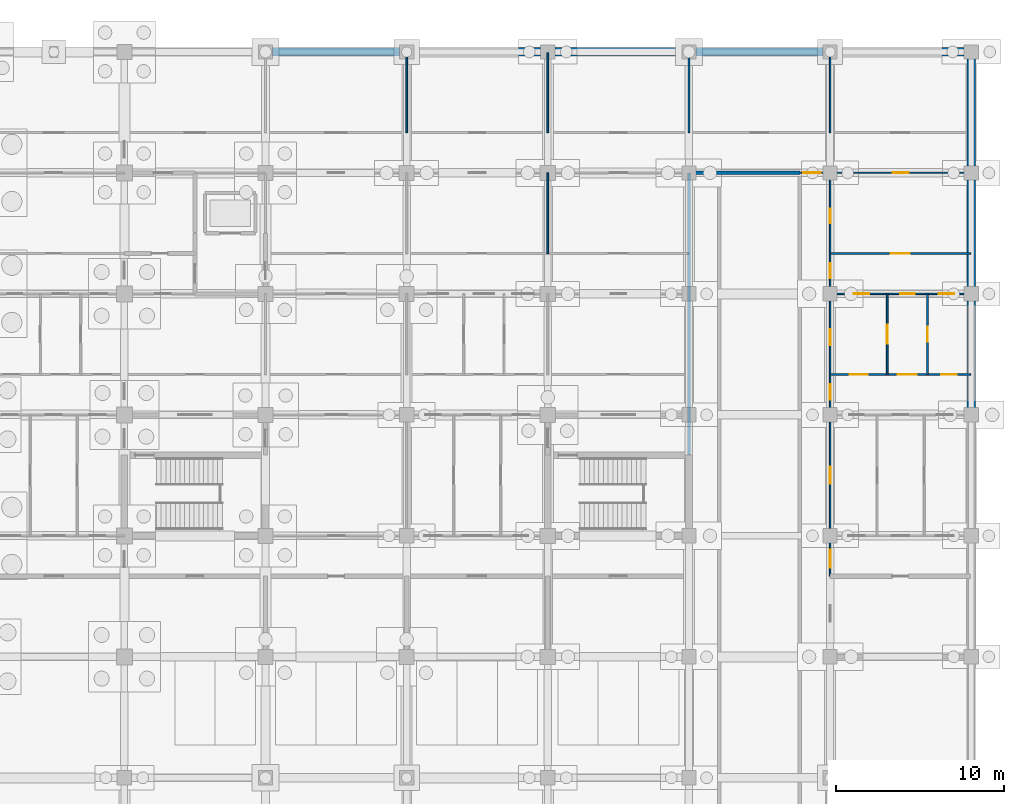
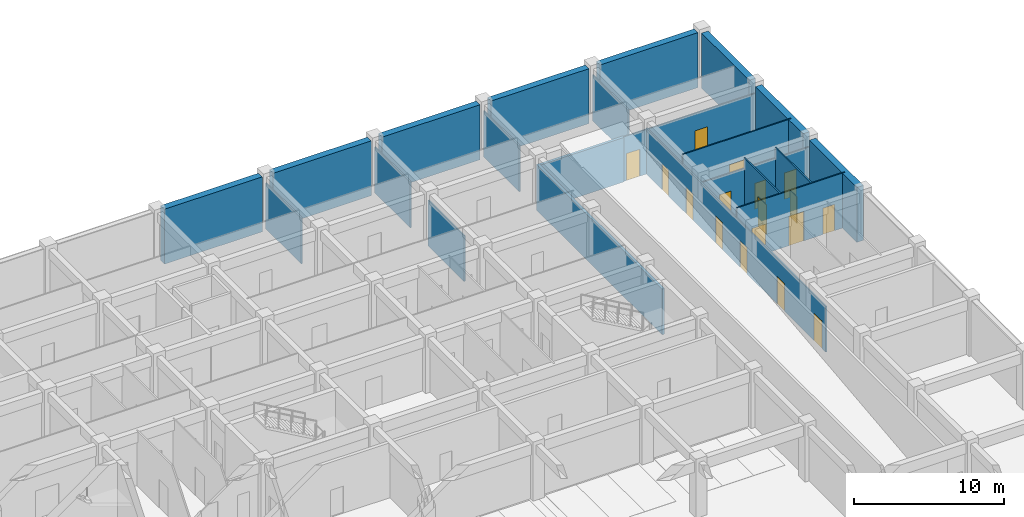
# One storey, part 79 of 85: 22 walls, 17 doors, 17 openings.
"""IFC4 building model written with IfcOpenShell, lengths in metres."""

from ifc_helpers import new_model, si_unit, direction, frame, frame_2d, origin, place, context, subcontext, project, spatial, rectangle, extrude, material, layer, layer_set, type_object, element, fill, save


model = new_model("IFC4")

# Units and contexts
model_context = context("Model", 3, precision=1e-05, world=origin(), true_north=direction((0.0, 1.0)))
body_context = subcontext(model_context, "Body", "Model", "MODEL_VIEW")
ifc_project = project(units=[si_unit("LENGTHUNIT", "METRE"), si_unit("AREAUNIT", "SQUARE_METRE"), si_unit("VOLUMEUNIT", "CUBIC_METRE"), si_unit("PLANEANGLEUNIT", "RADIAN"), si_unit("MASSUNIT", "GRAM", prefix="KILO")], contexts=[model_context])

# Site, building, storey
site_placement = place(None, origin())
site = spatial("IfcSite", under=ifc_project, at=site_placement, CompositionType="ELEMENT")
building_placement = place(site_placement, origin())
building = spatial("IfcBuilding", under=site, at=building_placement, Name="Chengyuan Square Courthouse", CompositionType="ELEMENT")
storey_placement = place(building_placement, frame((0.0, 0.0, -10.199951171875)))
storey = spatial("IfcBuildingStorey", under=building, at=storey_placement, Name="B02", CompositionType="ELEMENT", Elevation=-10.199951171875)

# Wall, openings, doors
ifc_material_1 = material(Name="Gypsum Plasterboard Acoustic Stud Partition")
ifc_layer_1 = layer(ifc_material_1, 0.10009765625)
ifc_layer_set_1 = layer_set([ifc_layer_1], Name="Gypsum Plasterboard Acoustic Stud Partition")
wall_type_1 = type_object("IfcWallType", Name="WL-PT6", PredefinedType="STANDARD", material=ifc_layer_set_1)
wall_1_placement = place(storey_placement, frame((159.60009765625, 96.0, 0.0), z_axis=(0.0, 0.0, 1.0), x_axis=(1.0, 0.0, 0.0)))
wall_1 = element("IfcWall", 1, at=wall_1_placement, inside=storey, type_object=wall_type_1, Name="Interior Wall WL-B02-I063", PredefinedType="STANDARD", context=body_context, shape_type="SweptSolid", body=[
    extrude(rectangle(XDim=8.35986328125, YDim=0.10009765625, at=frame_2d((4.179931640625, 0.0))), origin(), (0.0, 0.0, 1.0), 4.47998046875),
])
opening_1_placement = place(wall_1_placement, frame((1.169921875, 0.0, 0.0)))
opening_1 = element("IfcOpeningElement", 2, at=opening_1_placement, cuts=wall_1, Name="Opening DR-203", PredefinedType="OPENING", context=body_context, shape_type="SweptSolid", body=[
    extrude(rectangle(XDim=1.06005859375, YDim=2.39990234375, at=frame_2d((0.530029296875, 1.199951171875))), frame((0.0, 0.06201171875, 0.0), z_axis=(0.0, -1.0, 0.0), x_axis=(1.0, 0.0, 0.0)), (0.0, 0.0, 1.0), 0.1240234375),
])
opening_2_placement = place(wall_1_placement, frame((4.030029296875, 0.0, 0.0)))
opening_2 = element("IfcOpeningElement", 3, at=opening_2_placement, cuts=wall_1, Name="Opening DR-204", PredefinedType="OPENING", context=body_context, shape_type="SweptSolid", body=[
    extrude(rectangle(XDim=1.139892578125, YDim=2.39990234375, at=frame_2d((0.56982421875, 1.199951171875))), frame((0.0, 0.06201171875, 0.0), z_axis=(0.0, -1.0, 0.0), x_axis=(1.0, 0.0, 0.0)), (0.0, 0.0, 1.0), 0.1240234375),
])
opening_3_placement = place(wall_1_placement, frame((6.6298828125, 0.0, 0.0)))
opening_3 = element("IfcOpeningElement", 4, at=opening_3_placement, cuts=wall_1, Name="Opening DR-205", PredefinedType="OPENING", context=body_context, shape_type="SweptSolid", body=[
    extrude(rectangle(XDim=0.89990234375, YDim=2.14990234375, at=frame_2d((0.449951171875, 1.074951171875))), frame((0.0, 0.06201171875, 0.0), z_axis=(0.0, -1.0, 0.0), x_axis=(1.0, 0.0, 0.0)), (0.0, 0.0, 1.0), 0.1240234375),
])
ifc_material_2 = material(Name="Acoustic Solid-Core Timber Door", Category="wood")
door_type_1 = type_object("IfcDoorType", Name="DT-27", OperationType="NOTDEFINED", PredefinedType="DOOR", material=ifc_material_2)
door_1_placement = place(opening_3_placement, origin())
door_1 = element("IfcDoor", 5, at=door_1_placement, inside=storey, type_object=door_type_1, Name="Interior Door DR-205", OperationType="SINGLE_SWING_LEFT", OverallHeight=2.14990234375, OverallWidth=0.89990234375, PredefinedType="DOOR", context=body_context, shape_type="SweptSolid", body=[
    extrude(rectangle(XDim=0.89990234375, YDim=2.14990234375, at=frame_2d((0.449951171875, 1.074951171875))), frame((0.0, 0.02490234375, 0.0), z_axis=(0.0, -1.0, 0.0), x_axis=(1.0, 0.0, 0.0)), (0.0, 0.0, 1.0), 0.050048828125),
])
fill(opening_3, door_1)
door_type_2 = type_object("IfcDoorType", Name="DT-42", OperationType="NOTDEFINED", PredefinedType="DOOR", material=ifc_material_2)
door_2_placement = place(opening_1_placement, origin())
door_2 = element("IfcDoor", 6, at=door_2_placement, inside=storey, type_object=door_type_2, Name="Interior Door DR-203", OperationType="SINGLE_SWING_LEFT", OverallHeight=2.39990234375, OverallWidth=1.06005859375, PredefinedType="DOOR", context=body_context, shape_type="SweptSolid", body=[
    extrude(rectangle(XDim=1.06005859375, YDim=2.39990234375, at=frame_2d((0.530029296875, 1.199951171875))), frame((0.0, 0.02490234375, 0.0), z_axis=(0.0, -1.0, 0.0), x_axis=(1.0, 0.0, 0.0)), (0.0, 0.0, 1.0), 0.050048828125),
])
fill(opening_1, door_2)
door_type_3 = type_object("IfcDoorType", Name="DT-43", OperationType="NOTDEFINED", PredefinedType="DOOR", material=ifc_material_2)
door_3_placement = place(opening_2_placement, origin())
door_3 = element("IfcDoor", 7, at=door_3_placement, inside=storey, type_object=door_type_3, Name="Interior Door DR-204", OperationType="SINGLE_SWING_RIGHT", OverallHeight=2.39990234375, OverallWidth=1.139892578125, PredefinedType="DOOR", context=body_context, shape_type="SweptSolid", body=[
    extrude(rectangle(XDim=1.139892578125, YDim=2.39990234375, at=frame_2d((0.56982421875, 1.199951171875))), frame((0.0, 0.02490234375, 0.0), z_axis=(0.0, -1.0, 0.0), x_axis=(1.0, 0.0, 0.0)), (0.0, 0.0, 1.0), 0.050048828125),
])
fill(opening_2, door_3)

wall_2_placement = place(storey_placement, frame((159.60009765625, 100.800048828125, 0.0), z_axis=(0.0, 0.0, 1.0), x_axis=(1.0, 0.0, 0.0)))
wall_2 = element("IfcWall", 8, at=wall_2_placement, inside=storey, type_object=wall_type_1, Name="Interior Wall WL-B02-I073", PredefinedType="STANDARD", context=body_context, shape_type="SweptSolid", body=[
    extrude(rectangle(XDim=8.35986328125, YDim=0.10009765625, at=frame_2d((4.179931640625, 0.0))), origin(), (0.0, 0.0, 1.0), 3.6298828125),
])
opening_4_placement = place(wall_2_placement, frame((1.422607421875, 0.0, 0.0)))
opening_4 = element("IfcOpeningElement", 9, at=opening_4_placement, cuts=wall_2, Name="Opening DR-137", PredefinedType="OPENING", context=body_context, shape_type="SweptSolid", body=[
    extrude(rectangle(XDim=0.89990234375, YDim=2.14990234375, at=frame_2d((0.449951171875, 1.074951171875))), frame((0.0, 0.06201171875, 0.0), z_axis=(0.0, -1.0, 0.0), x_axis=(1.0, 0.0, 0.0)), (0.0, 0.0, 1.0), 0.1240234375),
])
opening_5_placement = place(wall_2_placement, frame((4.169921875, 0.0, 0.0)))
opening_5 = element("IfcOpeningElement", 10, at=opening_5_placement, cuts=wall_2, Name="Opening DR-138", PredefinedType="OPENING", context=body_context, shape_type="SweptSolid", body=[
    extrude(rectangle(XDim=0.860107421875, YDim=2.10009765625, at=frame_2d((0.43017578125, 1.050048828125))), frame((0.0, 0.06201171875, 0.0), z_axis=(0.0, -1.0, 0.0), x_axis=(1.0, 0.0, 0.0)), (0.0, 0.0, 1.0), 0.1240234375),
])
opening_6_placement = place(wall_2_placement, frame((6.467529296875, 0.0, 0.0)))
opening_6 = element("IfcOpeningElement", 11, at=opening_6_placement, cuts=wall_2, Name="Opening DR-139", PredefinedType="OPENING", context=body_context, shape_type="SweptSolid", body=[
    extrude(rectangle(XDim=0.919921875, YDim=2.14990234375, at=frame_2d((0.4599609375, 1.074951171875))), frame((0.0, 0.06201171875, 0.0), z_axis=(0.0, -1.0, 0.0), x_axis=(1.0, 0.0, 0.0)), (0.0, 0.0, 1.0), 0.1240234375),
])
door_4_placement = place(opening_4_placement, origin())
door_4 = element("IfcDoor", 12, at=door_4_placement, inside=storey, type_object=door_type_1, Name="Interior Door DR-137", OperationType="SINGLE_SWING_LEFT", OverallHeight=2.14990234375, OverallWidth=0.89990234375, PredefinedType="DOOR", context=body_context, shape_type="SweptSolid", body=[
    extrude(rectangle(XDim=0.89990234375, YDim=2.14990234375, at=frame_2d((0.449951171875, 1.074951171875))), frame((0.0, 0.02490234375, 0.0), z_axis=(0.0, -1.0, 0.0), x_axis=(1.0, 0.0, 0.0)), (0.0, 0.0, 1.0), 0.050048828125),
])
fill(opening_4, door_4)
door_type_4 = type_object("IfcDoorType", Name="DT-28", OperationType="NOTDEFINED", PredefinedType="DOOR", material=ifc_material_2)
door_5_placement = place(opening_5_placement, origin())
door_5 = element("IfcDoor", 13, at=door_5_placement, inside=storey, type_object=door_type_4, Name="Interior Door DR-138", OperationType="SINGLE_SWING_RIGHT", OverallHeight=2.10009765625, OverallWidth=0.860107421875, PredefinedType="DOOR", context=body_context, shape_type="SweptSolid", body=[
    extrude(rectangle(XDim=0.860107421875, YDim=2.10009765625, at=frame_2d((0.43017578125, 1.050048828125))), frame((0.0, 0.02490234375, 0.0), z_axis=(0.0, -1.0, 0.0), x_axis=(1.0, 0.0, 0.0)), (0.0, 0.0, 1.0), 0.050048828125),
])
fill(opening_5, door_5)
door_type_5 = type_object("IfcDoorType", Name="DT-29", OperationType="NOTDEFINED", PredefinedType="DOOR", material=ifc_material_2)
door_6_placement = place(opening_6_placement, origin())
door_6 = element("IfcDoor", 14, at=door_6_placement, inside=storey, type_object=door_type_5, Name="Interior Door DR-139", OperationType="SINGLE_SWING_LEFT", OverallHeight=2.14990234375, OverallWidth=0.919921875, PredefinedType="DOOR", context=body_context, shape_type="SweptSolid", body=[
    extrude(rectangle(XDim=0.919921875, YDim=2.14990234375, at=frame_2d((0.4599609375, 1.074951171875))), frame((0.0, 0.02490234375, 0.0), z_axis=(0.0, -1.0, 0.0), x_axis=(1.0, 0.0, 0.0)), (0.0, 0.0, 1.0), 0.050048828125),
])
fill(opening_6, door_6)

# Wall, opening, door
wall_3_placement = place(storey_placement, frame((159.60009765625, 103.199951171875, 0.0), z_axis=(0.0, 0.0, 1.0), x_axis=(1.0, 0.0, 0.0)))
wall_3 = element("IfcWall", 15, at=wall_3_placement, inside=storey, type_object=wall_type_1, Name="Interior Wall WL-B02-I085", PredefinedType="STANDARD", context=body_context, shape_type="SweptSolid", body=[
    extrude(rectangle(XDim=8.35986328125, YDim=0.10009765625, at=frame_2d((4.179931640625, 0.0))), origin(), (0.0, 0.0, 1.0), 4.47998046875),
])
opening_7_placement = place(wall_3_placement, frame((3.610107421875, 0.0, 0.0)))
opening_7 = element("IfcOpeningElement", 16, at=opening_7_placement, cuts=wall_3, Name="Opening DR-136", PredefinedType="OPENING", context=body_context, shape_type="SweptSolid", body=[
    extrude(rectangle(XDim=1.139892578125, YDim=2.39990234375, at=frame_2d((0.56982421875, 1.199951171875))), frame((0.0, 0.06201171875, 0.0), z_axis=(0.0, -1.0, 0.0), x_axis=(1.0, 0.0, 0.0)), (0.0, 0.0, 1.0), 0.1240234375),
])
door_7_placement = place(opening_7_placement, origin())
door_7 = element("IfcDoor", 17, at=door_7_placement, inside=storey, type_object=door_type_3, Name="Interior Door DR-136", OperationType="SINGLE_SWING_RIGHT", OverallHeight=2.39990234375, OverallWidth=1.139892578125, PredefinedType="DOOR", context=body_context, shape_type="SweptSolid", body=[
    extrude(rectangle(XDim=1.139892578125, YDim=2.39990234375, at=frame_2d((0.56982421875, 1.199951171875))), frame((0.0, 0.02490234375, 0.0), z_axis=(0.0, -1.0, 0.0), x_axis=(1.0, 0.0, 0.0)), (0.0, 0.0, 1.0), 0.050048828125),
])
fill(opening_7, door_7)

# Wall, openings, doors
wall_4_placement = place(storey_placement, frame((157.800048828125, 108.0, 0.0), z_axis=(0.0, 0.0, 1.0), x_axis=(1.0, 0.0, 0.0)))
wall_4 = element("IfcWall", 18, at=wall_4_placement, inside=storey, type_object=wall_type_1, Name="Interior Wall WL-B02-I110", PredefinedType="STANDARD", context=body_context, shape_type="SweptSolid", body=[
    extrude(rectangle(XDim=10.159912109375, YDim=0.10009765625, at=frame_2d((5.080078125, 0.0))), origin(), (0.0, 0.0, 1.0), 3.6298828125),
])
opening_8_placement = place(wall_4_placement, frame((0.20751953125, 0.0, 0.0)))
opening_8 = element("IfcOpeningElement", 19, at=opening_8_placement, cuts=wall_4, Name="Opening DR-057", PredefinedType="OPENING", context=body_context, shape_type="SweptSolid", body=[
    extrude(rectangle(XDim=1.0400390625, YDim=2.199951171875, at=frame_2d((0.52001953125, 1.10009765625))), frame((0.0, 0.06201171875, 0.0), z_axis=(0.0, -1.0, 0.0), x_axis=(1.0, 0.0, 0.0)), (0.0, 0.0, 1.0), 0.1240234375),
])
opening_9_placement = place(wall_4_placement, frame((5.52001953125, 0.0, 0.0)))
opening_9 = element("IfcOpeningElement", 20, at=opening_9_placement, cuts=wall_4, Name="Opening DR-140", PredefinedType="OPENING", context=body_context, shape_type="SweptSolid", body=[
    extrude(rectangle(XDim=0.9599609375, YDim=2.199951171875, at=frame_2d((0.47998046875, 1.10009765625))), frame((0.0, 0.06201171875, 0.0), z_axis=(0.0, -1.0, 0.0), x_axis=(1.0, 0.0, 0.0)), (0.0, 0.0, 1.0), 0.1240234375),
])
door_type_6 = type_object("IfcDoorType", Name="DT-30", OperationType="NOTDEFINED", PredefinedType="DOOR", material=ifc_material_2)
door_8_placement = place(opening_9_placement, origin())
door_8 = element("IfcDoor", 21, at=door_8_placement, inside=storey, type_object=door_type_6, Name="Interior Door DR-140", OperationType="SINGLE_SWING_RIGHT", OverallHeight=2.199951171875, OverallWidth=0.9599609375, PredefinedType="DOOR", context=body_context, shape_type="SweptSolid", body=[
    extrude(rectangle(XDim=0.9599609375, YDim=2.199951171875, at=frame_2d((0.47998046875, 1.10009765625))), frame((0.0, 0.02490234375, 0.0), z_axis=(0.0, -1.0, 0.0), x_axis=(1.0, 0.0, 0.0)), (0.0, 0.0, 1.0), 0.050048828125),
])
fill(opening_9, door_8)
door_type_7 = type_object("IfcDoorType", Name="DT-32", OperationType="NOTDEFINED", PredefinedType="DOOR", material=ifc_material_2)
door_9_placement = place(opening_8_placement, origin())
door_9 = element("IfcDoor", 22, at=door_9_placement, inside=storey, type_object=door_type_7, Name="Interior Door DR-057", OperationType="SINGLE_SWING_LEFT", OverallHeight=2.199951171875, OverallWidth=1.0400390625, PredefinedType="DOOR", context=body_context, shape_type="SweptSolid", body=[
    extrude(rectangle(XDim=1.0400390625, YDim=2.199951171875, at=frame_2d((0.52001953125, 1.10009765625))), frame((0.0, 0.02490234375, 0.0), z_axis=(0.0, -1.0, 0.0), x_axis=(1.0, 0.0, 0.0)), (0.0, 0.0, 1.0), 0.050048828125),
])
fill(opening_8, door_9)

# Walls
wall_5_placement = place(storey_placement, frame((134.39990234375, 110.39990234375, 0.0), z_axis=(0.0, 0.0, 1.0), x_axis=(0.0, 1.0, 0.0)))
element("IfcWall", 23, at=wall_5_placement, inside=storey, type_object=wall_type_1, Name="Interior Wall WL-B02-I250", PredefinedType="STANDARD", context=body_context, shape_type="SweptSolid", body=[
    extrude(rectangle(XDim=4.760009765625, YDim=0.10009765625, at=frame_2d((2.3798828125, 0.0))), origin(), (0.0, 0.0, 1.0), 3.72998046875),
])
wall_6_placement = place(storey_placement, frame((142.800048828125, 103.199951171875, 0.0), z_axis=(0.0, 0.0, 1.0), x_axis=(0.0, 1.0, 0.0)))
element("IfcWall", 24, at=wall_6_placement, inside=storey, type_object=wall_type_1, Name="Interior Wall WL-B02-I259", PredefinedType="STANDARD", context=body_context, shape_type="SweptSolid", body=[
    extrude(rectangle(XDim=4.800048828125, YDim=0.10009765625, at=frame_2d((2.39990234375, 0.0))), origin(), (0.0, 0.0, 1.0), 3.72998046875),
])
for number, where, z_axis, x_axis, name in (
    (25, (142.800048828125, 110.39990234375, 0.0), (0.0, 0.0, 1.0), (0.0, 1.0, 0.0), "Interior Wall WL-B02-I260"),
    (26, (151.199951171875, 110.39990234375, 0.0), (0.0, 0.0, 1.0), (0.0, 1.0, 0.0), "Interior Wall WL-B02-I267"),
):
    element("IfcWall", number, at=place(storey_placement, frame(where, z_axis=z_axis, x_axis=x_axis)), inside=storey, type_object=wall_type_1, Name=name, PredefinedType="STANDARD", context=body_context, shape_type="SweptSolid", body=[
        extrude(rectangle(XDim=4.760009765625, YDim=0.10009765625, at=frame_2d((2.3798828125, 0.0))), origin(), (0.0, 0.0, 1.0), 3.72998046875),
    ])

# Wall, openings, doors
wall_7_placement = place(storey_placement, frame((159.60009765625, 84.0, 0.0), z_axis=(0.0, 0.0, 1.0), x_axis=(0.0, 1.0, 0.0)))
wall_7 = element("IfcWall", 27, at=wall_7_placement, inside=storey, type_object=wall_type_1, Name="Interior Wall WL-B02-I272", PredefinedType="STANDARD", context=body_context, shape_type="SweptSolid", body=[
    extrude(rectangle(XDim=24.0, YDim=0.10009765625, at=frame_2d((12.0, 0.0))), origin(), (0.0, 0.0, 1.0), 3.72998046875),
])
opening_10_placement = place(wall_7_placement, frame((17.722412109375, 0.0, 0.0)))
opening_10 = element("IfcOpeningElement", 28, at=opening_10_placement, cuts=wall_7, Name="Opening DR-052", PredefinedType="OPENING", context=body_context, shape_type="SweptSolid", body=[
    extrude(rectangle(XDim=0.89990234375, YDim=2.14990234375, at=frame_2d((0.449951171875, 1.074951171875))), frame((0.0, 0.06201171875, 0.0), z_axis=(0.0, -1.0, 0.0), x_axis=(1.0, 0.0, 0.0)), (0.0, 0.0, 1.0), 0.1240234375),
])
opening_11_placement = place(wall_7_placement, frame((20.99755859375, 0.0, 0.0)))
opening_11 = element("IfcOpeningElement", 29, at=opening_11_placement, cuts=wall_7, Name="Opening DR-053", PredefinedType="OPENING", context=body_context, shape_type="SweptSolid", body=[
    extrude(rectangle(XDim=0.860107421875, YDim=2.10009765625, at=frame_2d((0.43017578125, 1.050048828125))), frame((0.0, 0.06201171875, 0.0), z_axis=(0.0, -1.0, 0.0), x_axis=(1.0, 0.0, 0.0)), (0.0, 0.0, 1.0), 0.1240234375),
])
opening_12_placement = place(wall_7_placement, frame((10.512451171875, 0.0, 0.0)))
opening_12 = element("IfcOpeningElement", 30, at=opening_12_placement, cuts=wall_7, Name="Opening DR-054", PredefinedType="OPENING", context=body_context, shape_type="SweptSolid", body=[
    extrude(rectangle(XDim=0.919921875, YDim=2.14990234375, at=frame_2d((0.4599609375, 1.074951171875))), frame((0.0, 0.06201171875, 0.0), z_axis=(0.0, -1.0, 0.0), x_axis=(1.0, 0.0, 0.0)), (0.0, 0.0, 1.0), 0.1240234375),
])
opening_13_placement = place(wall_7_placement, frame((13.74755859375, 0.0, 0.0)))
opening_13 = element("IfcOpeningElement", 31, at=opening_13_placement, cuts=wall_7, Name="Opening DR-055", PredefinedType="OPENING", context=body_context, shape_type="SweptSolid", body=[
    extrude(rectangle(XDim=0.9599609375, YDim=2.199951171875, at=frame_2d((0.47998046875, 1.10009765625))), frame((0.0, 0.06201171875, 0.0), z_axis=(0.0, -1.0, 0.0), x_axis=(1.0, 0.0, 0.0)), (0.0, 0.0, 1.0), 0.1240234375),
])
opening_14_placement = place(wall_7_placement, frame((5.5, 0.0, 0.0)))
opening_14 = element("IfcOpeningElement", 32, at=opening_14_placement, cuts=wall_7, Name="Opening DR-056", PredefinedType="OPENING", context=body_context, shape_type="SweptSolid", body=[
    extrude(rectangle(XDim=1.0, YDim=2.25, at=frame_2d((0.5, 1.125))), frame((0.0, 0.06201171875, 0.0), z_axis=(0.0, -1.0, 0.0), x_axis=(1.0, 0.0, 0.0)), (0.0, 0.0, 1.0), 0.1240234375),
])
opening_15_placement = place(wall_7_placement, frame((0.487548828125, 0.0, 0.0)))
opening_15 = element("IfcOpeningElement", 33, at=opening_15_placement, cuts=wall_7, Name="Opening DR-058", PredefinedType="OPENING", context=body_context, shape_type="SweptSolid", body=[
    extrude(rectangle(XDim=1.080078125, YDim=2.25, at=frame_2d((0.5400390625, 1.125))), frame((0.0, 0.06201171875, 0.0), z_axis=(0.0, -1.0, 0.0), x_axis=(1.0, 0.0, 0.0)), (0.0, 0.0, 1.0), 0.1240234375),
])
door_10_placement = place(opening_10_placement, origin())
door_10 = element("IfcDoor", 34, at=door_10_placement, inside=storey, type_object=door_type_1, Name="Interior Door DR-052", OperationType="SINGLE_SWING_RIGHT", OverallHeight=2.14990234375, OverallWidth=0.89990234375, PredefinedType="DOOR", context=body_context, shape_type="SweptSolid", body=[
    extrude(rectangle(XDim=0.89990234375, YDim=2.14990234375, at=frame_2d((0.449951171875, 1.074951171875))), frame((0.0, 0.02490234375, 0.0), z_axis=(0.0, -1.0, 0.0), x_axis=(1.0, 0.0, 0.0)), (0.0, 0.0, 1.0), 0.050048828125),
])
fill(opening_10, door_10)
door_11_placement = place(opening_11_placement, origin())
door_11 = element("IfcDoor", 35, at=door_11_placement, inside=storey, type_object=door_type_4, Name="Interior Door DR-053", OperationType="SINGLE_SWING_LEFT", OverallHeight=2.10009765625, OverallWidth=0.860107421875, PredefinedType="DOOR", context=body_context, shape_type="SweptSolid", body=[
    extrude(rectangle(XDim=0.860107421875, YDim=2.10009765625, at=frame_2d((0.43017578125, 1.050048828125))), frame((0.0, 0.02490234375, 0.0), z_axis=(0.0, -1.0, 0.0), x_axis=(1.0, 0.0, 0.0)), (0.0, 0.0, 1.0), 0.050048828125),
])
fill(opening_11, door_11)
door_12_placement = place(opening_12_placement, origin())
door_12 = element("IfcDoor", 36, at=door_12_placement, inside=storey, type_object=door_type_5, Name="Interior Door DR-054", OperationType="SINGLE_SWING_RIGHT", OverallHeight=2.14990234375, OverallWidth=0.919921875, PredefinedType="DOOR", context=body_context, shape_type="SweptSolid", body=[
    extrude(rectangle(XDim=0.919921875, YDim=2.14990234375, at=frame_2d((0.4599609375, 1.074951171875))), frame((0.0, 0.02490234375, 0.0), z_axis=(0.0, -1.0, 0.0), x_axis=(1.0, 0.0, 0.0)), (0.0, 0.0, 1.0), 0.050048828125),
])
fill(opening_12, door_12)
door_13_placement = place(opening_13_placement, origin())
door_13 = element("IfcDoor", 37, at=door_13_placement, inside=storey, type_object=door_type_6, Name="Interior Door DR-055", OperationType="SINGLE_SWING_LEFT", OverallHeight=2.199951171875, OverallWidth=0.9599609375, PredefinedType="DOOR", context=body_context, shape_type="SweptSolid", body=[
    extrude(rectangle(XDim=0.9599609375, YDim=2.199951171875, at=frame_2d((0.47998046875, 1.10009765625))), frame((0.0, 0.02490234375, 0.0), z_axis=(0.0, -1.0, 0.0), x_axis=(1.0, 0.0, 0.0)), (0.0, 0.0, 1.0), 0.050048828125),
])
fill(opening_13, door_13)
door_type_8 = type_object("IfcDoorType", Name="DT-31", OperationType="NOTDEFINED", PredefinedType="DOOR", material=ifc_material_2)
door_14_placement = place(opening_14_placement, origin())
door_14 = element("IfcDoor", 38, at=door_14_placement, inside=storey, type_object=door_type_8, Name="Interior Door DR-056", OperationType="SINGLE_SWING_RIGHT", OverallHeight=2.25, OverallWidth=1.0, PredefinedType="DOOR", context=body_context, shape_type="SweptSolid", body=[
    extrude(rectangle(XDim=1.0, YDim=2.25, at=frame_2d((0.5, 1.125))), frame((0.0, 0.02490234375, 0.0), z_axis=(0.0, -1.0, 0.0), x_axis=(1.0, 0.0, 0.0)), (0.0, 0.0, 1.0), 0.050048828125),
])
fill(opening_14, door_14)
door_type_9 = type_object("IfcDoorType", Name="DT-33", OperationType="NOTDEFINED", PredefinedType="DOOR", material=ifc_material_2)
door_15_placement = place(opening_15_placement, origin())
door_15 = element("IfcDoor", 39, at=door_15_placement, inside=storey, type_object=door_type_9, Name="Interior Door DR-058", OperationType="SINGLE_SWING_RIGHT", OverallHeight=2.25, OverallWidth=1.080078125, PredefinedType="DOOR", context=body_context, shape_type="SweptSolid", body=[
    extrude(rectangle(XDim=1.080078125, YDim=2.25, at=frame_2d((0.5400390625, 1.125))), frame((0.0, 0.02490234375, 0.0), z_axis=(0.0, -1.0, 0.0), x_axis=(1.0, 0.0, 0.0)), (0.0, 0.0, 1.0), 0.050048828125),
])
fill(opening_15, door_15)

# Wall
wall_8_placement = place(storey_placement, frame((159.60009765625, 110.39990234375, 0.0), z_axis=(0.0, 0.0, 1.0), x_axis=(0.0, 1.0, 0.0)))
element("IfcWall", 40, at=wall_8_placement, inside=storey, type_object=wall_type_1, Name="Interior Wall WL-B02-I273", PredefinedType="STANDARD", context=body_context, shape_type="SweptSolid", body=[
    extrude(rectangle(XDim=4.760009765625, YDim=0.10009765625, at=frame_2d((2.3798828125, 0.0))), origin(), (0.0, 0.0, 1.0), 3.72998046875),
])

# Wall, opening, door
wall_9_placement = place(storey_placement, frame((163.0, 96.0, 0.0), z_axis=(0.0, 0.0, 1.0), x_axis=(0.0, 1.0, 0.0)))
wall_9 = element("IfcWall", 41, at=wall_9_placement, inside=storey, type_object=wall_type_1, Name="Interior Wall WL-B02-I275", PredefinedType="STANDARD", context=body_context, shape_type="SweptSolid", body=[
    extrude(rectangle(XDim=4.800048828125, YDim=0.10009765625, at=frame_2d((2.39990234375, 0.0))), origin(), (0.0, 0.0, 1.0), 4.47998046875),
])
opening_16_placement = place(wall_9_placement, frame((1.830078125, 0.0, 0.0)))
opening_16 = element("IfcOpeningElement", 42, at=opening_16_placement, cuts=wall_9, Name="Opening DR-221", PredefinedType="OPENING", context=body_context, shape_type="SweptSolid", body=[
    extrude(rectangle(XDim=1.139892578125, YDim=2.39990234375, at=frame_2d((0.56982421875, 1.199951171875))), frame((0.0, 0.06201171875, 0.0), z_axis=(0.0, -1.0, 0.0), x_axis=(1.0, 0.0, 0.0)), (0.0, 0.0, 1.0), 0.1240234375),
])
door_16_placement = place(opening_16_placement, origin())
door_16 = element("IfcDoor", 43, at=door_16_placement, inside=storey, type_object=door_type_3, Name="Interior Door DR-221", OperationType="SINGLE_SWING_LEFT", OverallHeight=2.39990234375, OverallWidth=1.139892578125, PredefinedType="DOOR", context=body_context, shape_type="SweptSolid", body=[
    extrude(rectangle(XDim=1.139892578125, YDim=2.39990234375, at=frame_2d((0.56982421875, 1.199951171875))), frame((0.0, 0.02490234375, 0.0), z_axis=(0.0, -1.0, 0.0), x_axis=(1.0, 0.0, 0.0)), (0.0, 0.0, 1.0), 0.050048828125),
])
fill(opening_16, door_16)

wall_10_placement = place(storey_placement, frame((165.39990234375, 96.0, 0.0), z_axis=(0.0, 0.0, 1.0), x_axis=(0.0, 1.0, 0.0)))
wall_10 = element("IfcWall", 44, at=wall_10_placement, inside=storey, type_object=wall_type_1, Name="Interior Wall WL-B02-I277", PredefinedType="STANDARD", context=body_context, shape_type="SweptSolid", body=[
    extrude(rectangle(XDim=4.800048828125, YDim=0.10009765625, at=frame_2d((2.39990234375, 0.0))), origin(), (0.0, 0.0, 1.0), 4.47998046875),
])
opening_17_placement = place(wall_10_placement, frame((1.949951171875, 0.0, 0.0)))
opening_17 = element("IfcOpeningElement", 45, at=opening_17_placement, cuts=wall_10, Name="Opening DR-222", PredefinedType="OPENING", context=body_context, shape_type="SweptSolid", body=[
    extrude(rectangle(XDim=0.89990234375, YDim=2.14990234375, at=frame_2d((0.449951171875, 1.074951171875))), frame((0.0, 0.06201171875, 0.0), z_axis=(0.0, -1.0, 0.0), x_axis=(1.0, 0.0, 0.0)), (0.0, 0.0, 1.0), 0.1240234375),
])
door_17_placement = place(opening_17_placement, origin())
door_17 = element("IfcDoor", 46, at=door_17_placement, inside=storey, type_object=door_type_1, Name="Interior Door DR-222", OperationType="SINGLE_SWING_RIGHT", OverallHeight=2.14990234375, OverallWidth=0.89990234375, PredefinedType="DOOR", context=body_context, shape_type="SweptSolid", body=[
    extrude(rectangle(XDim=0.89990234375, YDim=2.14990234375, at=frame_2d((0.449951171875, 1.074951171875))), frame((0.0, 0.02490234375, 0.0), z_axis=(0.0, -1.0, 0.0), x_axis=(1.0, 0.0, 0.0)), (0.0, 0.0, 1.0), 0.050048828125),
])
fill(opening_17, door_17)

# Walls
ifc_material_3 = material(Name="Concrete C40", Category="concrete")
ifc_layer_2 = layer(ifc_material_3, 0.5)
ifc_layer_set_2 = layer_set([ifc_layer_2], Name="Concrete C40")
wall_type_2 = type_object("IfcWallType", Name="WL-RW1", PredefinedType="USERDEFINED", material=ifc_layer_set_2)
wall_11_placement = place(storey_placement, frame((126.419921875, 115.199951171875, 0.0), z_axis=(0.0, 0.0, 1.0), x_axis=(1.0, 0.0, 0.0)))
element("IfcWall", 47, at=wall_11_placement, inside=storey, type_object=wall_type_2, Name="Basement Retaining Wall WL-B02-E048", ObjectType="RETAININGWALL", PredefinedType="USERDEFINED", context=body_context, shape_type="SweptSolid", body=[
    extrude(rectangle(XDim=7.56005859375, YDim=0.5, at=frame_2d((3.780029296875, 0.0))), origin(), (0.0, 0.0, 1.0), 4.47998046875),
])
wall_12_placement = place(storey_placement, frame((134.820068359375, 115.199951171875, 0.0), z_axis=(0.0, 0.0, 1.0), x_axis=(1.0, 0.0, 0.0)))
element("IfcWall", 48, at=wall_12_placement, inside=storey, type_object=wall_type_2, Name="Basement Retaining Wall WL-B02-E050", ObjectType="RETAININGWALL", PredefinedType="USERDEFINED", context=body_context, shape_type="SweptSolid", body=[
    extrude(rectangle(XDim=7.559814453125, YDim=0.5, at=frame_2d((3.77978515625, 0.0))), origin(), (0.0, 0.0, 1.0), 4.47998046875),
])
wall_13_placement = place(storey_placement, frame((143.219970703125, 115.199951171875, 0.0), z_axis=(0.0, 0.0, 1.0), x_axis=(1.0, 0.0, 0.0)))
element("IfcWall", 49, at=wall_13_placement, inside=storey, type_object=wall_type_2, Name="Basement Retaining Wall WL-B02-E052", ObjectType="RETAININGWALL", PredefinedType="USERDEFINED", context=body_context, shape_type="SweptSolid", body=[
    extrude(rectangle(XDim=7.56005859375, YDim=0.5, at=frame_2d((3.780029296875, 0.0))), origin(), (0.0, 0.0, 1.0), 4.47998046875),
])
wall_14_placement = place(storey_placement, frame((151.6201171875, 115.199951171875, 0.0), z_axis=(0.0, 0.0, 1.0), x_axis=(1.0, 0.0, 0.0)))
element("IfcWall", 50, at=wall_14_placement, inside=storey, type_object=wall_type_2, Name="Basement Retaining Wall WL-B02-E054", ObjectType="RETAININGWALL", PredefinedType="USERDEFINED", context=body_context, shape_type="SweptSolid", body=[
    extrude(rectangle(XDim=7.559814453125, YDim=0.5, at=frame_2d((3.77978515625, 0.0))), origin(), (0.0, 0.0, 1.0), 4.47998046875),
])
wall_15_placement = place(storey_placement, frame((168.0, 94.02001953125, 0.0), z_axis=(0.0, 0.0, 1.0), x_axis=(0.0, 1.0, 0.0)))
element("IfcWall", 51, at=wall_15_placement, inside=storey, type_object=wall_type_2, Name="Basement Retaining Wall WL-B02-E069", ObjectType="RETAININGWALL", PredefinedType="USERDEFINED", context=body_context, shape_type="SweptSolid", body=[
    extrude(rectangle(XDim=6.35986328125, YDim=0.5, at=frame_2d((3.179931640625, 0.0))), origin(), (0.0, 0.0, 1.0), 4.47998046875),
])
wall_16_placement = place(storey_placement, frame((168.0, 101.219970703125, 0.0), z_axis=(0.0, 0.0, 1.0), x_axis=(0.0, 1.0, 0.0)))
element("IfcWall", 52, at=wall_16_placement, inside=storey, type_object=wall_type_2, Name="Basement Retaining Wall WL-B02-E070", ObjectType="RETAININGWALL", PredefinedType="USERDEFINED", context=body_context, shape_type="SweptSolid", body=[
    extrude(rectangle(XDim=6.360107421875, YDim=0.5, at=frame_2d((3.18017578125, 0.0))), origin(), (0.0, 0.0, 1.0), 4.47998046875),
])
wall_17_placement = place(storey_placement, frame((160.02001953125, 115.199951171875, 0.0), z_axis=(0.0, 0.0, 1.0), x_axis=(1.0, 0.0, 0.0)))
element("IfcWall", 53, at=wall_17_placement, inside=storey, type_object=wall_type_2, Name="Basement Retaining Wall WL-B02-E071", ObjectType="RETAININGWALL", PredefinedType="USERDEFINED", context=body_context, shape_type="SweptSolid", body=[
    extrude(rectangle(XDim=7.56005859375, YDim=0.5, at=frame_2d((3.780029296875, 0.0))), origin(), (0.0, 0.0, 1.0), 4.47998046875),
])
wall_18_placement = place(storey_placement, frame((168.0, 108.419921875, 0.0), z_axis=(0.0, 0.0, 1.0), x_axis=(0.0, 1.0, 0.0)))
element("IfcWall", 54, at=wall_18_placement, inside=storey, type_object=wall_type_2, Name="Basement Retaining Wall WL-B02-E072", ObjectType="RETAININGWALL", PredefinedType="USERDEFINED", context=body_context, shape_type="SweptSolid", body=[
    extrude(rectangle(XDim=6.360107421875, YDim=0.5, at=frame_2d((3.18017578125, 0.0))), origin(), (0.0, 0.0, 1.0), 4.47998046875),
])
ifc_material_4 = material(Name="Reinforced Masonry Shaft Enclosure", Category="masonry")
ifc_layer_3 = layer(ifc_material_4, 0.199951171875)
ifc_layer_set_3 = layer_set([ifc_layer_3], Name="Reinforced Masonry Shaft Enclosure")
wall_type_3 = type_object("IfcWallType", Name="WL-SH1", PredefinedType="STANDARD", material=ifc_layer_set_3)
wall_19_placement = place(storey_placement, frame((151.199951171875, 108.0, 0.0), z_axis=(0.0, 0.0, 1.0), x_axis=(1.0, 0.0, 0.0)))
element("IfcWall", 55, at=wall_19_placement, inside=storey, type_object=wall_type_3, Name="Interior Wall WL-B02-I109", PredefinedType="STANDARD", context=body_context, shape_type="SweptSolid", body=[
    extrude(rectangle(XDim=6.60009765625, YDim=0.199951171875, at=frame_2d((3.300048828125, 0.0))), origin(), (0.0, 0.0, 1.0), 3.6298828125),
])
wall_20_placement = place(storey_placement, frame((151.199951171875, 91.199951171875, 0.0), z_axis=(0.0, 0.0, 1.0), x_axis=(0.0, 1.0, 0.0)))
element("IfcWall", 56, at=wall_20_placement, inside=storey, type_object=wall_type_3, Name="Interior Wall WL-B02-I266", PredefinedType="STANDARD", context=body_context, shape_type="SweptSolid", body=[
    extrude(rectangle(XDim=16.800048828125, YDim=0.199951171875, at=frame_2d((8.39990234375, 0.0))), origin(), (0.0, 0.0, 1.0), 3.72998046875),
])

save(model, "model.ifc")
